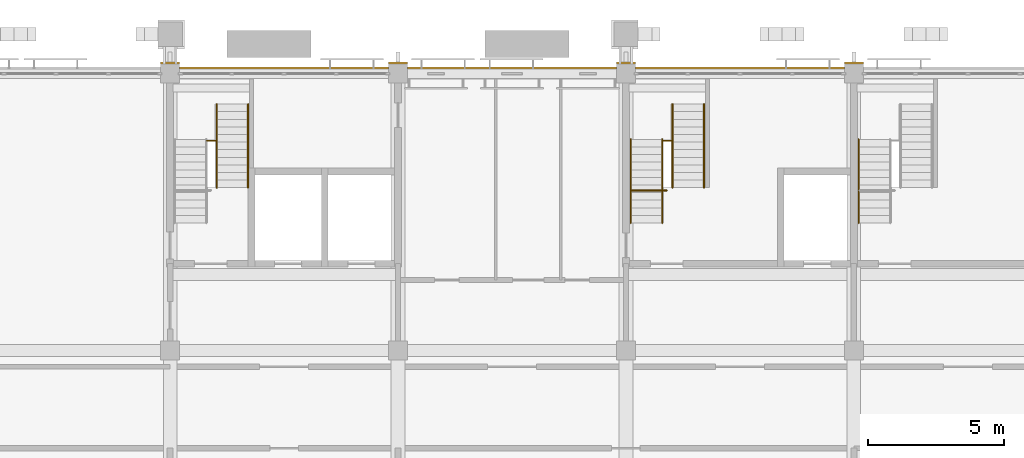
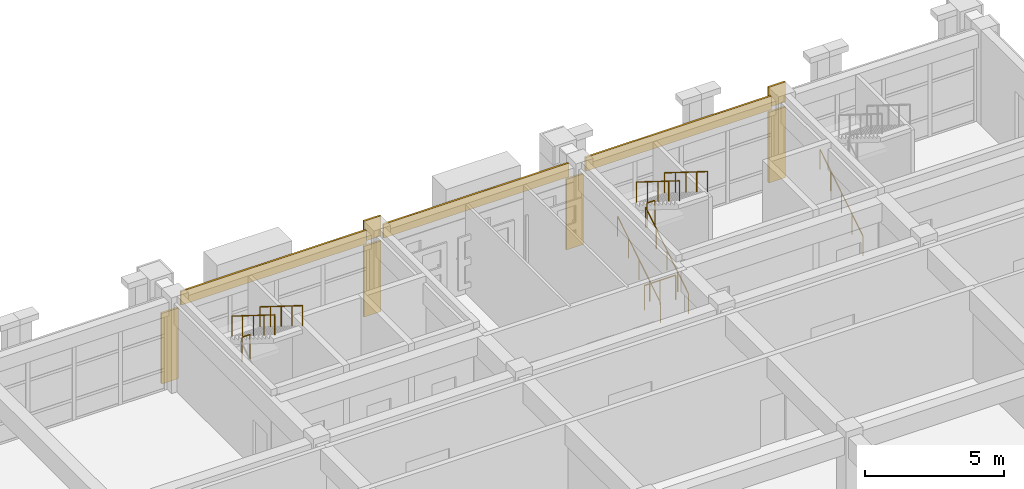
# One storey, part 92 of 99: 10 railings, 9 coverings.
"""IFC4 building model written with IfcOpenShell, lengths in metres."""

from ifc_helpers import new_model, si_unit, direction, frame, origin, origin_2d, place, context, subcontext, project, spatial, polyline, circle, outline, extrude, material, layer, layer_set, type_object, element, save


model = new_model("IFC4")

# Units and contexts
model_context = context("Model", 3, precision=1e-05, world=origin(), true_north=direction((0.0, 1.0)))
body_context = subcontext(model_context, "Body", "Model", "MODEL_VIEW")
ifc_project = project(units=[si_unit("LENGTHUNIT", "METRE"), si_unit("AREAUNIT", "SQUARE_METRE"), si_unit("VOLUMEUNIT", "CUBIC_METRE"), si_unit("PLANEANGLEUNIT", "RADIAN"), si_unit("MASSUNIT", "GRAM", prefix="KILO")], contexts=[model_context])

# Site, building, storey
site_placement = place(None, origin())
site = spatial("IfcSite", under=ifc_project, at=site_placement, CompositionType="ELEMENT")
building_placement = place(site_placement, origin())
building = spatial("IfcBuilding", under=site, at=building_placement, Name="Wasatch Bagh Community Centre", CompositionType="ELEMENT")
storey_placement = place(building_placement, frame((0.0, 0.0, 4.199951171875)))
storey = spatial("IfcBuildingStorey", under=building, at=storey_placement, Name="L01", CompositionType="ELEMENT", Elevation=4.199951171875)

# Coverings
ifc_material_1 = material(Name="Cast stone cladding", Category="masonry")
ifc_layer_1 = layer(ifc_material_1, 0.080078125)
ifc_layer_set_1 = layer_set([ifc_layer_1], Name="Cast stone cladding")
covering_type_1 = type_object("IfcCoveringType", Name="CL-B7 beam facing", PredefinedType="CLADDING", material=ifc_layer_set_1)
covering_1_placement = place(storey_placement, frame((0.0, 0.0, 3.320068359375)))
element("IfcCovering", 1, at=covering_1_placement, inside=storey, type_object=covering_type_1, Name="Beam facing", PredefinedType="CLADDING", context=body_context, shape_type="SweptSolid", body=[
    extrude(outline(polyline([(106.35009765625, 97.97509765625), (114.050048828125, 97.97509765625), (114.050048828125, 98.054931640625), (106.35009765625, 98.054931640625), (106.35009765625, 97.97509765625)])), origin(), (0.0, 0.0, 1.0), 0.60009765625),
])
covering_2_placement = place(storey_placement, frame((0.0, 0.0, 3.320068359375)))
element("IfcCovering", 2, at=covering_2_placement, inside=storey, type_object=covering_type_1, Name="Beam facing", PredefinedType="CLADDING", context=body_context, shape_type="SweptSolid", body=[
    extrude(outline(polyline([(114.75, 97.97509765625), (122.449951171875, 97.97509765625), (122.449951171875, 98.054931640625), (114.75, 98.054931640625), (114.75, 97.97509765625)])), origin(), (0.0, 0.0, 1.0), 0.60009765625),
])
covering_3_placement = place(storey_placement, frame((0.0, 0.0, 3.320068359375)))
element("IfcCovering", 3, at=covering_3_placement, inside=storey, type_object=covering_type_1, Name="Beam facing", PredefinedType="CLADDING", context=body_context, shape_type="SweptSolid", body=[
    extrude(outline(polyline([(123.14990234375, 97.97509765625), (130.85009765625, 97.97509765625), (130.85009765625, 98.054931640625), (123.14990234375, 98.054931640625), (123.14990234375, 97.97509765625)])), origin(), (0.0, 0.0, 1.0), 0.60009765625),
])
ifc_layer_2 = layer(ifc_material_1, 0.080078125)
ifc_layer_set_2 = layer_set([ifc_layer_2], Name="Cast stone cladding")
covering_type_2 = type_object("IfcCoveringType", Name="CL-C1 column facing", PredefinedType="CLADDING", material=ifc_layer_set_2)
covering_4_placement = place(storey_placement, origin())
element("IfcCovering", 4, at=covering_4_placement, inside=storey, type_object=covering_type_2, Name="Column facing", PredefinedType="CLADDING", context=body_context, shape_type="SweptSolid", body=[
    extrude(outline(polyline([(106.35009765625, 98.14990234375), (105.64990234375, 98.14990234375), (105.64990234375, 98.22998046875), (106.35009765625, 98.22998046875), (106.35009765625, 98.14990234375)])), origin(), (0.0, 0.0, 1.0), 3.10009765625),
])
covering_5_placement = place(storey_placement, origin())
element("IfcCovering", 5, at=covering_5_placement, inside=storey, type_object=covering_type_2, Name="Column facing", PredefinedType="CLADDING", context=body_context, shape_type="SweptSolid", body=[
    extrude(outline(polyline([(114.75, 98.14990234375), (114.050048828125, 98.14990234375), (114.050048828125, 98.22998046875), (114.75, 98.22998046875), (114.75, 98.14990234375)])), origin(), (0.0, 0.0, 1.0), 3.10009765625),
])
covering_6_placement = place(storey_placement, frame((0.0, 0.0, 3.320068359375)))
element("IfcCovering", 6, at=covering_6_placement, inside=storey, type_object=covering_type_2, Name="Column facing", PredefinedType="CLADDING", context=body_context, shape_type="SweptSolid", body=[
    extrude(outline(polyline([(114.75, 98.14990234375), (114.050048828125, 98.14990234375), (114.050048828125, 98.22998046875), (114.75, 98.22998046875), (114.75, 98.14990234375)])), origin(), (0.0, 0.0, 1.0), 0.8798828125),
])
covering_7_placement = place(storey_placement, origin())
element("IfcCovering", 7, at=covering_7_placement, inside=storey, type_object=covering_type_2, Name="Column facing", PredefinedType="CLADDING", context=body_context, shape_type="SweptSolid", body=[
    extrude(outline(polyline([(123.14990234375, 98.14990234375), (122.449951171875, 98.14990234375), (122.449951171875, 98.22998046875), (123.14990234375, 98.22998046875), (123.14990234375, 98.14990234375)])), origin(), (0.0, 0.0, 1.0), 3.10009765625),
])
covering_8_placement = place(storey_placement, origin())
element("IfcCovering", 8, at=covering_8_placement, inside=storey, type_object=covering_type_2, Name="Column facing", PredefinedType="CLADDING", context=body_context, shape_type="SweptSolid", body=[
    extrude(outline(polyline([(131.550048828125, 98.14990234375), (130.85009765625, 98.14990234375), (130.85009765625, 98.22998046875), (131.550048828125, 98.22998046875), (131.550048828125, 98.14990234375)])), origin(), (0.0, 0.0, 1.0), 3.10009765625),
])
covering_9_placement = place(storey_placement, frame((0.0, 0.0, 3.320068359375)))
element("IfcCovering", 9, at=covering_9_placement, inside=storey, type_object=covering_type_2, Name="Column facing", PredefinedType="CLADDING", context=body_context, shape_type="SweptSolid", body=[
    extrude(outline(polyline([(131.550048828125, 98.14990234375), (130.85009765625, 98.14990234375), (130.85009765625, 98.22998046875), (131.550048828125, 98.22998046875), (131.550048828125, 98.14990234375)])), origin(), (0.0, 0.0, 1.0), 0.8798828125),
])

# Railings
ifc_material_2 = material(Name="Painted steel with jali infill", Category="steel")
railing_type_1 = type_object("IfcRailingType", Name="LW guard 1100", PredefinedType="GUARDRAIL", material=ifc_material_2)
railing_1_placement = place(storey_placement, frame((107.360107421875, 95.330078125, 2.10009765625)))
element("IfcRailing", 10, at=railing_1_placement, inside=storey, type_object=railing_type_1, Name="Guard C2", PredefinedType="GUARDRAIL", context=body_context, shape_type="SweptSolid", body=[
    extrude(circle(Radius=0.02490234375, at=origin_2d()), frame((0.0, 0.0, 1.0751953125), z_axis=(1.0, 0.0, 0.0), x_axis=(0.0, 1.0, 0.0)), (0.0, 0.0, 1.0), 0.329833984375),
    extrude(circle(Radius=0.02001953125, at=origin_2d()), origin(), (0.0, 0.0, 1.0), 1.050048828125),
    extrude(circle(Radius=0.02001953125, at=origin_2d()), frame((0.329833984375, 0.0, 0.0)), (0.0, 0.0, 1.0), 1.050048828125),
])
railing_2_placement = place(storey_placement, frame((123.0, 93.5, 0.0)))
element("IfcRailing", 11, at=railing_2_placement, inside=storey, type_object=railing_type_1, Name="Guard C3", PredefinedType="GUARDRAIL", context=body_context, shape_type="SweptSolid", body=[
    extrude(circle(Radius=0.02490234375, at=origin_2d()), frame((0.0, 0.0, 1.0751953125), z_axis=(1.0, 0.0, 0.0), x_axis=(0.0, 1.0, 0.0)), (0.0, 0.0, 1.0), 1.300048828125),
    extrude(circle(Radius=0.02001953125, at=origin_2d()), origin(), (0.0, 0.0, 1.0), 1.050048828125),
    extrude(circle(Radius=0.02001953125, at=origin_2d()), frame((0.64990234375, 0.0, 0.0)), (0.0, 0.0, 1.0), 1.050048828125),
    extrude(circle(Radius=0.02001953125, at=origin_2d()), frame((1.300048828125, 0.0, 0.0)), (0.0, 0.0, 1.0), 1.050048828125),
])
railing_3_placement = place(storey_placement, frame((124.159912109375, 95.330078125, 2.10009765625)))
element("IfcRailing", 12, at=railing_3_placement, inside=storey, type_object=railing_type_1, Name="Guard C3", PredefinedType="GUARDRAIL", context=body_context, shape_type="SweptSolid", body=[
    extrude(circle(Radius=0.02490234375, at=origin_2d()), frame((0.0, 0.0, 1.0751953125), z_axis=(1.0, 0.0, 0.0), x_axis=(0.0, 1.0, 0.0)), (0.0, 0.0, 1.0), 0.330078125),
    extrude(circle(Radius=0.02001953125, at=origin_2d()), origin(), (0.0, 0.0, 1.0), 1.050048828125),
    extrude(circle(Radius=0.02001953125, at=origin_2d()), frame((0.330078125, 0.0, 0.0)), (0.0, 0.0, 1.0), 1.050048828125),
])
ifc_material_3 = material(Name="Painted steel tube", Category="steel")
railing_type_2 = type_object("IfcRailingType", Name="LW stair handrail 900", PredefinedType="HANDRAIL", material=ifc_material_3)
for number, where, name in (
    (13, (107.715087890625, 96.679931640625, 2.275146484375), "Handrail C2"),
    (14, (108.875, 96.679931640625, 2.275146484375), "Handrail C2"),
):
    element("IfcRailing", number, at=place(storey_placement, frame(where)), inside=storey, type_object=railing_type_2, Name=name, PredefinedType="HANDRAIL", context=body_context, shape_type="SweptSolid", body=[
        extrude(circle(Radius=0.0224609375, at=origin_2d()), frame((0.0, 0.0, 0.87744140625), z_axis=(0.0, -0.848009633417, 0.529980812513), x_axis=(1.0, 0.0, 0.0)), (0.0, 0.0, 1.0), 3.6318359375),
        extrude(circle(Radius=0.02001953125, at=origin_2d()), origin(), (0.0, 0.0, 1.0), 0.85498046875),
        extrude(circle(Radius=0.02001953125, at=origin_2d()), frame((0.0, -0.77001953125, 0.481201171875)), (0.0, 0.0, 1.0), 0.85498046875),
        extrude(circle(Radius=0.02001953125, at=origin_2d()), frame((0.0, -1.5400390625, 0.96240234375)), (0.0, 0.0, 1.0), 0.85498046875),
        extrude(circle(Radius=0.02001953125, at=origin_2d()), frame((0.0, -2.309814453125, 1.443603515625)), (0.0, 0.0, 1.0), 0.85498046875),
        extrude(circle(Radius=0.02001953125, at=origin_2d()), frame((0.0, -3.079833984375, 1.9248046875)), (0.0, 0.0, 1.0), 0.85498046875),
    ])
for number, where, name in (
    (15, (122.97509765625, 92.300048828125, 0.175048828125), "Handrail C3"),
    (16, (124.135009765625, 92.300048828125, 0.175048828125), "Handrail C3"),
):
    element("IfcRailing", number, at=place(storey_placement, frame(where)), inside=storey, type_object=railing_type_2, Name=name, PredefinedType="HANDRAIL", context=body_context, shape_type="SweptSolid", body=[
        extrude(circle(Radius=0.0224609375, at=origin_2d()), frame((0.0, 0.0, 0.87744140625), z_axis=(0.0, 0.847979421464, 0.530029150871), x_axis=(-1.0, 0.0, 0.0)), (0.0, 0.0, 1.0), 3.632080078125),
        extrude(circle(Radius=0.02001953125, at=origin_2d()), origin(), (0.0, 0.0, 1.0), 0.85498046875),
        extrude(circle(Radius=0.02001953125, at=origin_2d()), frame((0.0, 0.77001953125, 0.481201171875)), (0.0, 0.0, 1.0), 0.85498046875),
        extrude(circle(Radius=0.02001953125, at=origin_2d()), frame((0.0, 1.5400390625, 0.96240234375)), (0.0, 0.0, 1.0), 0.85498046875),
        extrude(circle(Radius=0.02001953125, at=origin_2d()), frame((0.0, 2.309814453125, 1.44384765625)), (0.0, 0.0, 1.0), 0.85498046875),
        extrude(circle(Radius=0.02001953125, at=origin_2d()), frame((0.0, 3.079833984375, 1.925048828125)), (0.0, 0.0, 1.0), 0.85498046875),
    ])
for number, where, name in (
    (17, (124.514892578125, 96.679931640625, 2.275146484375), "Handrail C3"),
    (18, (125.675048828125, 96.679931640625, 2.275146484375), "Handrail C3"),
):
    element("IfcRailing", number, at=place(storey_placement, frame(where)), inside=storey, type_object=railing_type_2, Name=name, PredefinedType="HANDRAIL", context=body_context, shape_type="SweptSolid", body=[
        extrude(circle(Radius=0.0224609375, at=origin_2d()), frame((0.0, 0.0, 0.87744140625), z_axis=(0.0, -0.848009633417, 0.529980812513), x_axis=(1.0, 0.0, 0.0)), (0.0, 0.0, 1.0), 3.6318359375),
        extrude(circle(Radius=0.02001953125, at=origin_2d()), origin(), (0.0, 0.0, 1.0), 0.85498046875),
        extrude(circle(Radius=0.02001953125, at=origin_2d()), frame((0.0, -0.77001953125, 0.481201171875)), (0.0, 0.0, 1.0), 0.85498046875),
        extrude(circle(Radius=0.02001953125, at=origin_2d()), frame((0.0, -1.5400390625, 0.96240234375)), (0.0, 0.0, 1.0), 0.85498046875),
        extrude(circle(Radius=0.02001953125, at=origin_2d()), frame((0.0, -2.309814453125, 1.443603515625)), (0.0, 0.0, 1.0), 0.85498046875),
        extrude(circle(Radius=0.02001953125, at=origin_2d()), frame((0.0, -3.079833984375, 1.9248046875)), (0.0, 0.0, 1.0), 0.85498046875),
    ])
railing_4_placement = place(storey_placement, frame((131.375, 92.300048828125, 0.175048828125)))
element("IfcRailing", 19, at=railing_4_placement, inside=storey, type_object=railing_type_2, Name="Handrail ES", PredefinedType="HANDRAIL", context=body_context, shape_type="SweptSolid", body=[
    extrude(circle(Radius=0.0224609375, at=origin_2d()), frame((0.0, 0.0, 0.87744140625), z_axis=(0.0, 0.847979421464, 0.530029150871), x_axis=(-1.0, 0.0, 0.0)), (0.0, 0.0, 1.0), 3.632080078125),
    extrude(circle(Radius=0.02001953125, at=origin_2d()), origin(), (0.0, 0.0, 1.0), 0.85498046875),
    extrude(circle(Radius=0.02001953125, at=origin_2d()), frame((0.0, 0.77001953125, 0.481201171875)), (0.0, 0.0, 1.0), 0.85498046875),
    extrude(circle(Radius=0.02001953125, at=origin_2d()), frame((0.0, 1.5400390625, 0.96240234375)), (0.0, 0.0, 1.0), 0.85498046875),
    extrude(circle(Radius=0.02001953125, at=origin_2d()), frame((0.0, 2.309814453125, 1.44384765625)), (0.0, 0.0, 1.0), 0.85498046875),
    extrude(circle(Radius=0.02001953125, at=origin_2d()), frame((0.0, 3.079833984375, 1.925048828125)), (0.0, 0.0, 1.0), 0.85498046875),
])

save(model, "model.ifc")
